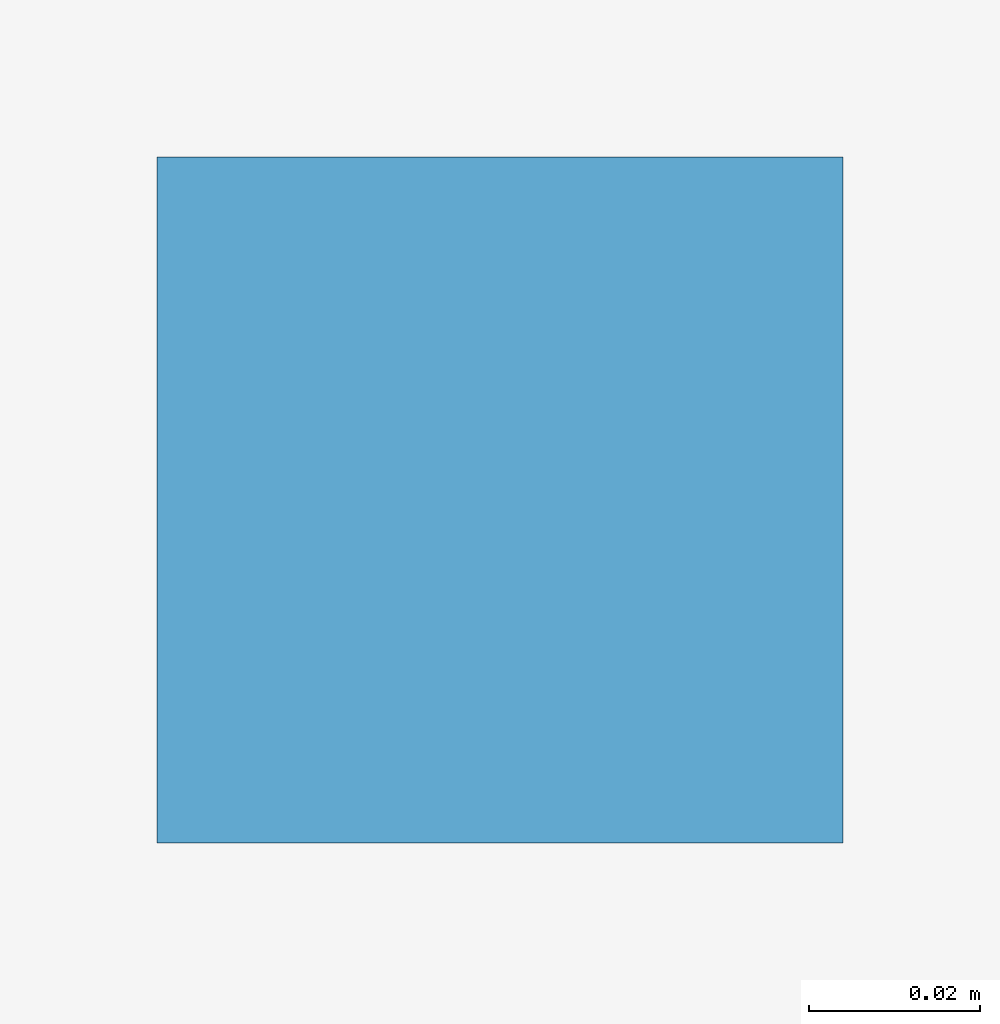
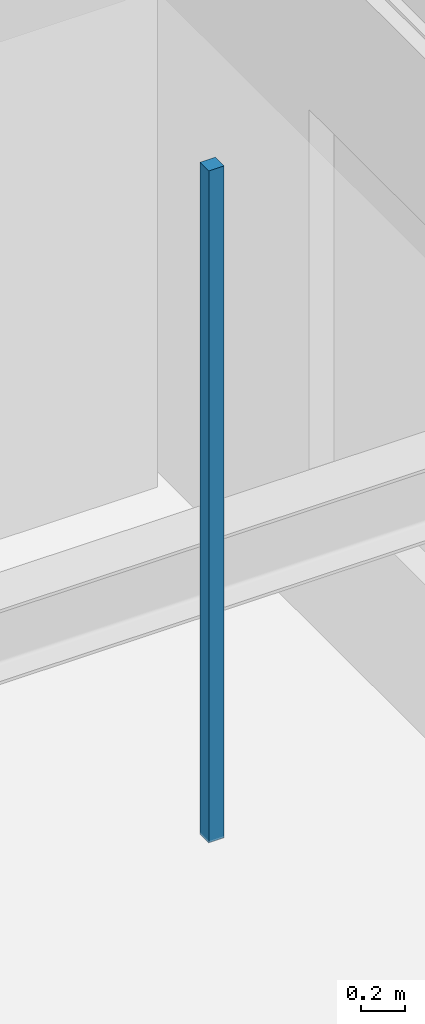
# One storey, part 120 of 136: 1 discrete accessory.
"""IFC4 building model written with IfcOpenShell, lengths in metres."""

from ifc_helpers import new_model, si_unit, direction, frame, origin, origin_2d, place, context, subcontext, project, spatial, rectangle, extrude, material, type_object, element, save


model = new_model("IFC4")

# Units and contexts
model_context = context("Model", 3, precision=1e-05, world=origin(), true_north=direction((0.0, 1.0)))
body_context = subcontext(model_context, "Body", "Model", "MODEL_VIEW")
ifc_project = project(units=[si_unit("LENGTHUNIT", "METRE"), si_unit("AREAUNIT", "SQUARE_METRE"), si_unit("VOLUMEUNIT", "CUBIC_METRE"), si_unit("PLANEANGLEUNIT", "RADIAN"), si_unit("MASSUNIT", "GRAM", prefix="KILO")], contexts=[model_context])

# Site, building, storey
site_placement = place(None, origin())
site = spatial("IfcSite", under=ifc_project, at=site_placement, CompositionType="ELEMENT")
building_placement = place(site_placement, origin())
building = spatial("IfcBuilding", under=site, at=building_placement, Name="Koriwan Promenade Central Fire Station", CompositionType="ELEMENT")
storey_placement = place(building_placement, frame((0.0, 0.0, 5.39990234375)))
storey = spatial("IfcBuildingStorey", under=building, at=storey_placement, Name="L01", CompositionType="ELEMENT", Elevation=5.39990234375)

# Discrete accessory
ifc_material = material(Name="Steel ASTM A572 Grade 50", Category="steel")
discrete_accessory_type = type_object("IfcDiscreteAccessoryType", Name="CeilingHanger_Bracket", PredefinedType="BRACKET", material=ifc_material)
discrete_accessory_placement = place(storey_placement, frame((61.199951171875, 49.60009765625, 3.09521484375), z_axis=(0.0, 0.0, 1.0), x_axis=(1.0, 0.0, 0.0)))
element("IfcDiscreteAccessory", 1, at=discrete_accessory_placement, inside=storey, type_object=discrete_accessory_type, Name="Appliance Watch Overlook Room acoustic ceiling seismic hanger", PredefinedType="BRACKET", context=body_context, shape_type="SweptSolid", body=[
    extrude(rectangle(XDim=0.080078125, YDim=0.080078125, at=origin_2d()), origin(), (0.0, 0.0, 1.0), 3.734130859375),
])

save(model, "model.ifc")
